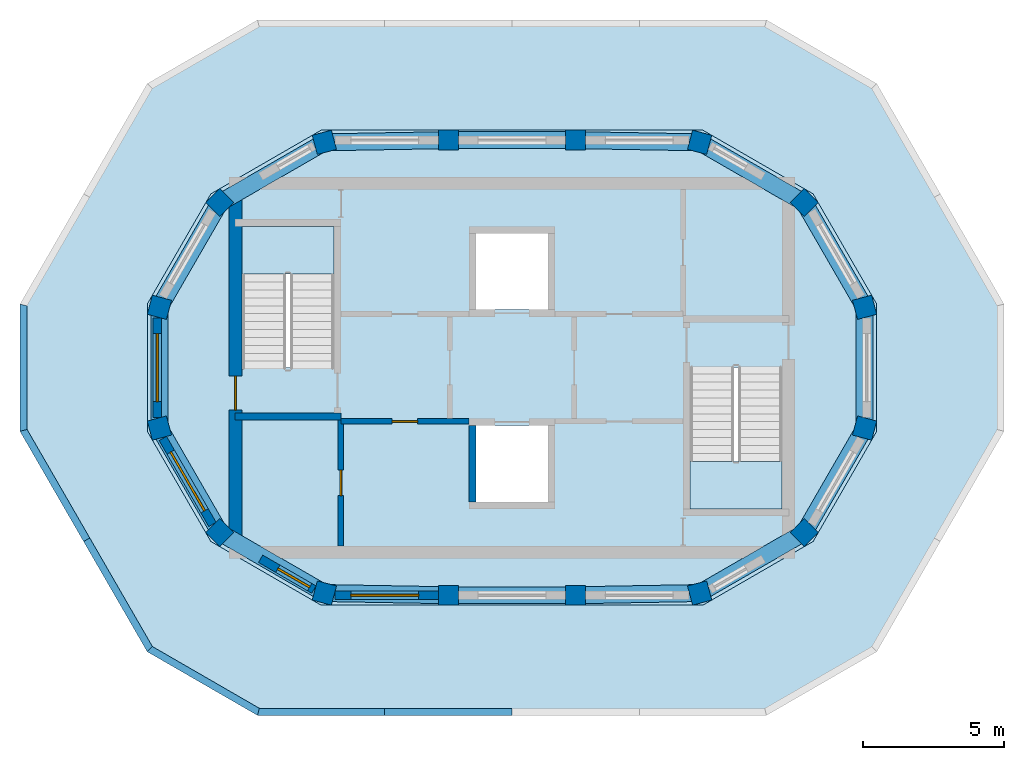
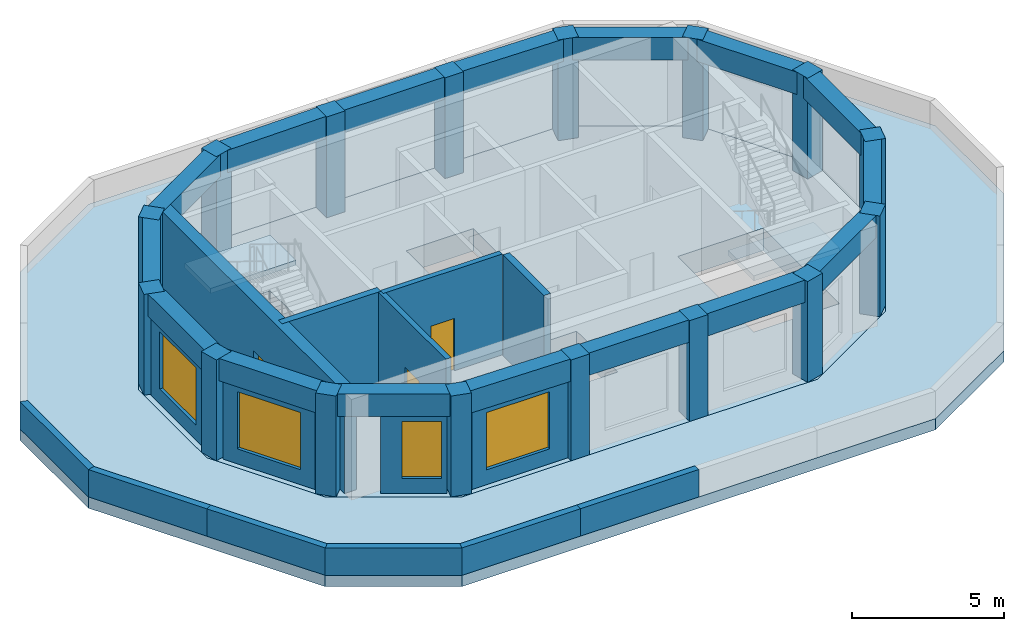
# One storey, part 1 of 4: 16 beams, 16 columns, 15 walls, 4 slabs, 4 windows, 3 doors, 7 openings, 2 elements without a shape of their own.
"""IFC4 building model written with IfcOpenShell, lengths in metres."""

import ifcopenshell
import ifcopenshell.guid

model = None  # the IFC model being written
_history = None  # IfcOwnerHistory: only IFC2X3 demands one
_inside = {}  # id of a spatial element -> (the spatial element, [elements in it])
_under = {}  # id of a project, library or spatial element -> (it, [spatial elements below it])
_declared = {}  # id of a project -> (the project, [libraries it declares])
_typed = {}  # id of a type object -> (the type object, [elements of that type])
_made_of = {}  # id of a material, layer set ... -> (it, [elements and type objects made of it])


def new_model(schema):
    """Start an empty IFC model of exactly this schema.

    Asked for "IFC4X3", IfcOpenShell would pick the latest addendum, in which some entities
    have other attributes; the version numbers below select the first issue.
    IFC2X3 requires an IfcOwnerHistory on every rooted entity: one is made here for all.
    """
    global model, _history
    if schema == "IFC4X3":
        model = ifcopenshell.file(schema_version=(4, 3, 0, 0))
    else:
        model = ifcopenshell.file(schema=schema)
    _inside.clear()
    _under.clear()
    _declared.clear()
    _typed.clear()
    _made_of.clear()
    _history = None
    if model.schema == "IFC2X3":
        org = make("IfcOrganization", Name="unknown")
        user = make(
            "IfcPersonAndOrganization",
            ThePerson=make("IfcPerson", FamilyName="unknown"),
            TheOrganization=org,
        )
        app = make(
            "IfcApplication",
            ApplicationDeveloper=org,
            Version="unknown",
            ApplicationFullName="unknown",
            ApplicationIdentifier="unknown",
        )
        _history = make(
            "IfcOwnerHistory",
            OwningUser=user,
            OwningApplication=app,
            ChangeAction="ADDED",
            CreationDate=0,
        )
    return model


def make(cls, **values):
    """One entity of the class cls with the attributes given. An attribute that is None is left unset."""
    return model.create_entity(
        cls, **{name: value for name, value in values.items() if value is not None}
    )


def rooted(cls, **values):
    """An entity with a GlobalId (a new one), such as an element, a storey or a relation."""
    return make(cls, GlobalId=ifcopenshell.guid.new(), OwnerHistory=_history, **values)


def si_unit(unit_type, name, prefix=None):
    """IfcSIUnit, for example si_unit("LENGTHUNIT", "METRE", prefix="MILLI")."""
    return make("IfcSIUnit", UnitType=unit_type, Prefix=prefix, Name=name)


def assignment(units):
    """IfcUnitAssignment: the units of a project."""
    return None if units is None else make("IfcUnitAssignment", Units=units)


def point(xyz):
    """IfcCartesianPoint."""
    return None if xyz is None else make("IfcCartesianPoint", Coordinates=xyz)


def direction(xyz):
    """IfcDirection."""
    return None if xyz is None else make("IfcDirection", DirectionRatios=xyz)


def frame(location, z_axis=None, x_axis=None):
    """IfcAxis2Placement3D, a coordinate frame: its origin and axes. An axis left out is left unset."""
    return make(
        "IfcAxis2Placement3D",
        Location=point(location),
        Axis=direction(z_axis),
        RefDirection=direction(x_axis),
    )


def frame_2d(location, x_axis=None):
    """IfcAxis2Placement2D, a coordinate frame in the plane: its origin and x axis."""
    return make(
        "IfcAxis2Placement2D", Location=point(location), RefDirection=direction(x_axis)
    )


def origin():
    """The frame at (0, 0, 0) with its axes left unset."""
    return frame((0.0, 0.0, 0.0))


def origin_2d():
    """The frame at (0, 0) in the plane with its x axis left unset."""
    return frame_2d((0.0, 0.0))


def place(relative_to, where):
    """IfcLocalPlacement: puts the frame where relative to a parent placement (None: the world)."""
    return make(
        "IfcLocalPlacement", PlacementRelTo=relative_to, RelativePlacement=where
    )


def context(
    kind, dimensions, precision=None, world=None, true_north=None, identifier=None
):
    """IfcGeometricRepresentationContext, for example the 3D "Model" context."""
    return make(
        "IfcGeometricRepresentationContext",
        ContextIdentifier=identifier,
        ContextType=kind,
        CoordinateSpaceDimension=dimensions,
        Precision=precision,
        WorldCoordinateSystem=world,
        TrueNorth=true_north,
    )


def subcontext(parent, identifier, kind, view, scale=None):
    """IfcGeometricRepresentationSubContext, for example "Body" below "Model"."""
    return make(
        "IfcGeometricRepresentationSubContext",
        ContextIdentifier=identifier,
        ContextType=kind,
        ParentContext=parent,
        TargetScale=scale,
        TargetView=view,
    )


def project(units=None, contexts=None):
    """IfcProject with its units and contexts."""
    return rooted(
        "IfcProject",
        Name="project",
        RepresentationContexts=contexts,
        UnitsInContext=assignment(units),
    )


def spatial(cls, under=None, at=None, **own):
    """A site, building, storey or space (cls), placed at a placement, below another one or the project."""
    s = rooted(cls, ObjectPlacement=at, **own)
    if under is not None:
        _under.setdefault(under.id(), (under, []))[1].append(s)
    return s


def polyline(points):
    """IfcPolyline through the points."""
    return make("IfcPolyline", Points=[point(p) for p in points])


def profile(cls, at=None, kind="AREA", **sizes):
    """A parametric profile (cls). Its sizes go by their IFC names, for example OverallWidth=200.0."""
    return make(cls, ProfileType=kind, Position=at, **sizes)


def rectangle(**sizes):
    """IfcRectangleProfileDef."""
    return profile("IfcRectangleProfileDef", **sizes)


def outline(outer, holes=None, kind="AREA"):
    """IfcArbitraryClosedProfileDef: a profile drawn as a closed curve; with holes, ...WithVoids."""
    if holes is None:
        return make("IfcArbitraryClosedProfileDef", ProfileType=kind, OuterCurve=outer)
    return make(
        "IfcArbitraryProfileDefWithVoids",
        ProfileType=kind,
        OuterCurve=outer,
        InnerCurves=holes,
    )


def extrude(swept, where, along, depth):
    """IfcExtrudedAreaSolid: the profile swept, set in the frame where, extruded along a direction by depth."""
    return make(
        "IfcExtrudedAreaSolid",
        SweptArea=swept,
        Position=where,
        ExtrudedDirection=direction(along),
        Depth=depth,
    )


def shape(context_of_items, identifier, shape_type, items):
    """IfcShapeRepresentation: the items that make up one representation, for example the "Body"."""
    return make(
        "IfcShapeRepresentation",
        ContextOfItems=context_of_items,
        RepresentationIdentifier=identifier,
        RepresentationType=shape_type,
        Items=items,
    )


def material(Name=None, Category=None):
    """IfcMaterial."""
    return make("IfcMaterial", Name=Name, Category=Category)


def layer(
    of_material, thickness, ventilated=None, Name=None, Category=None, Priority=None
):
    """IfcMaterialLayer: one layer of a wall or slab, of a material (None: an air gap)."""
    return make(
        "IfcMaterialLayer",
        Material=of_material,
        LayerThickness=thickness,
        IsVentilated=ventilated,
        Name=Name,
        Category=Category,
        Priority=Priority,
    )


def layer_set(layers, Name=None):
    """IfcMaterialLayerSet."""
    return make("IfcMaterialLayerSet", MaterialLayers=layers, LayerSetName=Name)


def material_profile(
    of_material, cross_section, Name=None, Category=None, Priority=None
):
    """IfcMaterialProfile: a cross section and its material."""
    return make(
        "IfcMaterialProfile",
        Name=Name,
        Material=of_material,
        Profile=cross_section,
        Priority=Priority,
        Category=Category,
    )


def profile_set(profiles, Name=None, composite=None):
    """IfcMaterialProfileSet."""
    return make(
        "IfcMaterialProfileSet",
        Name=Name,
        MaterialProfiles=profiles,
        CompositeProfile=composite,
    )


def made_of(thing, what):
    """Note that an element or type object is made of a material, layer set ...; save() writes the relation."""
    if what is not None:
        _made_of.setdefault(what.id(), (what, []))[1].append(thing)
    return thing


def type_object(cls, material=None, **own):
    """A type object (cls), such as IfcWallType, which elements share."""
    return made_of(rooted(cls, **own), material)


def element(
    cls,
    number,
    at=None,
    inside=None,
    cuts=None,
    type_object=None,
    material=None,
    context=None,
    identifier="Body",
    shape_type=None,
    held_by="IfcProductDefinitionShape",
    body=None,
    shapes=None,
    **own,
):
    """One element of the class cls, such as IfcWall. Its Tag is "e" and its number.

    at: its placement. inside: the storey or other place that contains it. cuts: it is an
    opening in that element (IfcRelVoidsElement). A single representation is given by context,
    identifier, shape_type and body (its items); several are given by shapes. held_by: the class
    of the entity that holds the representations. save() writes the other relations.
    """
    e = rooted(cls, Tag="e%d" % number, ObjectPlacement=at, **own)
    if body is not None:
        shapes = [shape(context, identifier, shape_type, body)]
    if shapes is not None:
        e.Representation = make(held_by, Representations=shapes)
    if inside is not None:
        _inside.setdefault(inside.id(), (inside, []))[1].append(e)
    if cuts is not None:
        rooted(
            "IfcRelVoidsElement", RelatingBuildingElement=cuts, RelatedOpeningElement=e
        )
    if type_object is not None:
        _typed.setdefault(type_object.id(), (type_object, []))[1].append(e)
    return made_of(e, material)


def fill(opening, filler):
    """IfcRelFillsElement: the door or window that sits in an opening."""
    return rooted(
        "IfcRelFillsElement",
        RelatingOpeningElement=opening,
        RelatedBuildingElement=filler,
    )


def aggregate(whole, parts):
    """IfcRelAggregates: a whole, such as a stair, and the parts it consists of."""
    return rooted("IfcRelAggregates", RelatingObject=whole, RelatedObjects=parts)


def save(model, path):
    """Write the relations noted so far, then the file.

    IfcRelAggregates (storeys below a building ...), IfcRelContainedInSpatialStructure (elements
    in a storey), IfcRelDefinesByType, IfcRelAssociatesMaterial and IfcRelDeclares: one each for
    every whole, place, type object, material and project.
    """
    for whole, parts in _under.values():
        aggregate(whole, parts)
    for where, things in _inside.values():
        rooted(
            "IfcRelContainedInSpatialStructure",
            RelatedElements=things,
            RelatingStructure=where,
        )
    for kind, things in _typed.values():
        rooted("IfcRelDefinesByType", RelatedObjects=things, RelatingType=kind)
    for what, things in _made_of.values():
        rooted("IfcRelAssociatesMaterial", RelatedObjects=things, RelatingMaterial=what)
    for by, libraries in _declared.values():
        rooted("IfcRelDeclares", RelatingContext=by, RelatedDefinitions=libraries)
    model.write(path)


model = new_model("IFC4")

# Units and contexts
model_context = context("Model", 3, precision=1e-05, world=origin(), true_north=direction((0.0, 1.0)))
body_context = subcontext(model_context, "Body", "Model", "MODEL_VIEW")
ifc_project = project(units=[si_unit("LENGTHUNIT", "METRE"), si_unit("AREAUNIT", "SQUARE_METRE"), si_unit("VOLUMEUNIT", "CUBIC_METRE"), si_unit("PLANEANGLEUNIT", "RADIAN"), si_unit("MASSUNIT", "GRAM", prefix="KILO")], contexts=[model_context])

# Site, building, storey
site_placement = place(None, origin())
site = spatial("IfcSite", under=ifc_project, at=site_placement, CompositionType="ELEMENT")
building_placement = place(site_placement, origin())
building = spatial("IfcBuilding", under=site, at=building_placement, Name="Dhurran Vertical Campus", CompositionType="ELEMENT")
storey_placement = place(building_placement, frame((0.0, 0.0, 332.39990234375)))
storey = spatial("IfcBuildingStorey", under=building, at=storey_placement, Name="L81 Plant", CompositionType="ELEMENT", Elevation=332.39990234375)

# Columns
ifc_material_1 = material(Name="Concrete C50/60", Category="concrete")
ifc_material_profile_1 = material_profile(ifc_material_1, rectangle(XDim=0.699951171875, YDim=0.699951171875, at=origin_2d()), Name="cr/col/R3")
ifc_profile_set_1 = profile_set([ifc_material_profile_1], Name="Concrete C50/60")
column_type = type_object("IfcColumnType", Name="cr/col/R3", PredefinedType="COLUMN", material=ifc_profile_set_1)
for number, where, z_axis, x_axis, name in (
    (1, (-6.635009765625, -7.968505859375, 0.0), (0.0, 0.0, 1.0), (0.965925826289, -0.258819045103, 0.0), "Crown column L81 1"),
    (2, (-2.25, -8.047119140625, 0.0), (0.0, 0.0, 1.0), (1.0, 0.0, 0.0), "Crown column L81 2"),
    (3, (2.25, -8.047119140625, 0.0), (0.0, 0.0, 1.0), (1.0, 0.0, 0.0), "Crown column L81 3"),
    (4, (6.635009765625, -7.968505859375, 0.0), (0.0, 0.0, 1.0), (0.965925826289, 0.258819045103, 0.0), "Crown column L81 4"),
    (5, (10.333251953125, -5.833251953125, 0.0), (0.0, 0.0, 1.0), (0.707106781187, 0.707106781187, 0.0), "Crown column L81 5"),
    (6, (12.468505859375, -2.135009765625, 0.0), (0.0, 0.0, 1.0), (0.258819045103, 0.965925826289, 0.0), "Crown column L81 6"),
    (7, (12.468505859375, 2.135009765625, 0.0), (0.0, 0.0, 1.0), (-0.258819045103, 0.965925826289, 0.0), "Crown column L81 7"),
    (8, (10.333251953125, 5.833251953125, 0.0), (0.0, 0.0, 1.0), (-0.707106781187, 0.707106781187, 0.0), "Crown column L81 8"),
    (9, (6.635009765625, 7.968505859375, 0.0), (0.0, 0.0, 1.0), (-0.965925826289, 0.258819045103, 0.0), "Crown column L81 9"),
    (10, (2.25, 8.047119140625, 0.0), (0.0, 0.0, 1.0), (-1.0, 0.0, 0.0), "Crown column L81 10"),
    (11, (-2.25, 8.047119140625, 0.0), (0.0, 0.0, 1.0), (-1.0, 0.0, 0.0), "Crown column L81 11"),
    (12, (-6.635009765625, 7.968505859375, 0.0), (0.0, 0.0, 1.0), (-0.965925826289, -0.258819045103, 0.0), "Crown column L81 12"),
    (13, (-10.333251953125, 5.833251953125, 0.0), (0.0, 0.0, 1.0), (-0.707106781187, -0.707106781187, 0.0), "Crown column L81 13"),
    (14, (-12.468505859375, 2.135009765625, 0.0), (0.0, 0.0, 1.0), (-0.258819045103, -0.965925826289, 0.0), "Crown column L81 14"),
    (15, (-12.468505859375, -2.135009765625, 0.0), (0.0, 0.0, 1.0), (0.258819045103, -0.965925826289, 0.0), "Crown column L81 15"),
    (16, (-10.333251953125, -5.833251953125, 0.0), (0.0, 0.0, 1.0), (0.707106781187, -0.707106781187, 0.0), "Crown column L81 16"),
):
    element("IfcColumn", number, at=place(storey_placement, frame(where, z_axis=z_axis, x_axis=x_axis)), inside=storey, type_object=column_type, Name=name, PredefinedType="COLUMN", context=body_context, shape_type="SweptSolid", body=[
        extrude(rectangle(XDim=0.699951171875, YDim=0.699951171875, at=origin_2d()), origin(), (0.0, 0.0, 1.0), 4.050048828125),
    ])

# Beams
ifc_material_2 = material(Name="Concrete C40/50", Category="concrete")
ifc_material_profile_2 = material_profile(ifc_material_2, rectangle(XDim=0.60009765625, YDim=0.89990234375, at=origin_2d()), Name="cr/beam/edge")
ifc_profile_set_2 = profile_set([ifc_material_profile_2], Name="Concrete C40/50")
beam_type = type_object("IfcBeamType", Name="cr/beam/edge", PredefinedType="BEAM", material=ifc_profile_set_2)
beam_1_placement = place(storey_placement, frame((-6.635009765625, -7.968505859375, 3.60009765625), z_axis=(0.999839336934, -0.017924851984, 0.0), x_axis=(0.017924851984, 0.999839336934, 0.0)))
element("IfcBeam", 17, at=beam_1_placement, inside=storey, type_object=beam_type, Name="Crown edge beam L81 1", PredefinedType="BEAM", context=body_context, shape_type="SweptSolid", body=[
    extrude(rectangle(XDim=0.60009765625, YDim=0.89990234375, at=origin_2d()), origin(), (0.0, 0.0, 1.0), 4.3857421875),
])
beam_2_placement = place(storey_placement, frame((-2.25, -8.047119140625, 3.60009765625), z_axis=(1.0, 0.0, 0.0), x_axis=(0.0, 1.0, 0.0)))
element("IfcBeam", 18, at=beam_2_placement, inside=storey, type_object=beam_type, Name="Crown edge beam L81 2", PredefinedType="BEAM", context=body_context, shape_type="SweptSolid", body=[
    extrude(rectangle(XDim=0.60009765625, YDim=0.89990234375, at=origin_2d()), origin(), (0.0, 0.0, 1.0), 4.5),
])
beam_3_placement = place(storey_placement, frame((2.25, -8.047119140625, 3.60009765625), z_axis=(0.999839336934, 0.017924851984, 0.0), x_axis=(-0.017924851984, 0.999839336934, 0.0)))
element("IfcBeam", 19, at=beam_3_placement, inside=storey, type_object=beam_type, Name="Crown edge beam L81 3", PredefinedType="BEAM", context=body_context, shape_type="SweptSolid", body=[
    extrude(rectangle(XDim=0.60009765625, YDim=0.89990234375, at=origin_2d()), origin(), (0.0, 0.0, 1.0), 4.3857421875),
])
for number, where, z_axis, x_axis, name in (
    (20, (6.635009765625, -7.968505859375, 3.60009765625), (0.866018023513, 0.500012782786, 0.0), (-0.500012782786, 0.866018023513, 0.0), "Crown edge beam L81 4"),
    (21, (10.333251953125, -5.833251953125, 3.60009765625), (0.500012782786, 0.866018023513, 0.0), (-0.866018023513, 0.500012782786, 0.0), "Crown edge beam L81 5"),
):
    element("IfcBeam", number, at=place(storey_placement, frame(where, z_axis=z_axis, x_axis=x_axis)), inside=storey, type_object=beam_type, Name=name, PredefinedType="BEAM", context=body_context, shape_type="SweptSolid", body=[
        extrude(rectangle(XDim=0.60009765625, YDim=0.89990234375, at=origin_2d()), origin(), (0.0, 0.0, 1.0), 4.2705078125),
    ])
beam_4_placement = place(storey_placement, frame((12.468505859375, -2.135009765625, 3.60009765625), z_axis=(0.0, 1.0, 0.0), x_axis=(-1.0, 0.0, 0.0)))
element("IfcBeam", 22, at=beam_4_placement, inside=storey, type_object=beam_type, Name="Crown edge beam L81 6", PredefinedType="BEAM", context=body_context, shape_type="SweptSolid", body=[
    extrude(rectangle(XDim=0.60009765625, YDim=0.89990234375, at=origin_2d()), origin(), (0.0, 0.0, 1.0), 4.27001953125),
])
for number, where, z_axis, x_axis, name in (
    (23, (12.468505859375, 2.135009765625, 3.60009765625), (-0.500012782786, 0.866018023513, 0.0), (-0.866018023513, -0.500012782786, 0.0), "Crown edge beam L81 7"),
    (24, (10.333251953125, 5.833251953125, 3.60009765625), (-0.866018023513, 0.500012782786, 0.0), (-0.500012782786, -0.866018023513, 0.0), "Crown edge beam L81 8"),
):
    element("IfcBeam", number, at=place(storey_placement, frame(where, z_axis=z_axis, x_axis=x_axis)), inside=storey, type_object=beam_type, Name=name, PredefinedType="BEAM", context=body_context, shape_type="SweptSolid", body=[
        extrude(rectangle(XDim=0.60009765625, YDim=0.89990234375, at=origin_2d()), origin(), (0.0, 0.0, 1.0), 4.2705078125),
    ])
beam_5_placement = place(storey_placement, frame((6.635009765625, 7.968505859375, 3.60009765625), z_axis=(-0.999839336934, 0.017924851984, 0.0), x_axis=(-0.017924851984, -0.999839336934, 0.0)))
element("IfcBeam", 25, at=beam_5_placement, inside=storey, type_object=beam_type, Name="Crown edge beam L81 9", PredefinedType="BEAM", context=body_context, shape_type="SweptSolid", body=[
    extrude(rectangle(XDim=0.60009765625, YDim=0.89990234375, at=origin_2d()), origin(), (0.0, 0.0, 1.0), 4.3857421875),
])
beam_6_placement = place(storey_placement, frame((2.25, 8.047119140625, 3.60009765625), z_axis=(-1.0, 0.0, 0.0), x_axis=(0.0, -1.0, 0.0)))
element("IfcBeam", 26, at=beam_6_placement, inside=storey, type_object=beam_type, Name="Crown edge beam L81 10", PredefinedType="BEAM", context=body_context, shape_type="SweptSolid", body=[
    extrude(rectangle(XDim=0.60009765625, YDim=0.89990234375, at=origin_2d()), origin(), (0.0, 0.0, 1.0), 4.5),
])
beam_7_placement = place(storey_placement, frame((-2.25, 8.047119140625, 3.60009765625), z_axis=(-0.999839336934, -0.017924851984, 0.0), x_axis=(0.017924851984, -0.999839336934, 0.0)))
element("IfcBeam", 27, at=beam_7_placement, inside=storey, type_object=beam_type, Name="Crown edge beam L81 11", PredefinedType="BEAM", context=body_context, shape_type="SweptSolid", body=[
    extrude(rectangle(XDim=0.60009765625, YDim=0.89990234375, at=origin_2d()), origin(), (0.0, 0.0, 1.0), 4.3857421875),
])
for number, where, z_axis, x_axis, name in (
    (28, (-6.635009765625, 7.968505859375, 3.60009765625), (-0.866018023513, -0.500012782786, 0.0), (0.500012782786, -0.866018023513, 0.0), "Crown edge beam L81 12"),
    (29, (-10.333251953125, 5.833251953125, 3.60009765625), (-0.500012782786, -0.866018023513, 0.0), (0.866018023513, -0.500012782786, 0.0), "Crown edge beam L81 13"),
):
    element("IfcBeam", number, at=place(storey_placement, frame(where, z_axis=z_axis, x_axis=x_axis)), inside=storey, type_object=beam_type, Name=name, PredefinedType="BEAM", context=body_context, shape_type="SweptSolid", body=[
        extrude(rectangle(XDim=0.60009765625, YDim=0.89990234375, at=origin_2d()), origin(), (0.0, 0.0, 1.0), 4.2705078125),
    ])
beam_8_placement = place(storey_placement, frame((-12.468505859375, 2.135009765625, 3.60009765625), z_axis=(0.0, -1.0, 0.0), x_axis=(1.0, 0.0, 0.0)))
element("IfcBeam", 30, at=beam_8_placement, inside=storey, type_object=beam_type, Name="Crown edge beam L81 14", PredefinedType="BEAM", context=body_context, shape_type="SweptSolid", body=[
    extrude(rectangle(XDim=0.60009765625, YDim=0.89990234375, at=origin_2d()), origin(), (0.0, 0.0, 1.0), 4.27001953125),
])
for number, where, z_axis, x_axis, name in (
    (31, (-12.468505859375, -2.135009765625, 3.60009765625), (0.500012782786, -0.866018023513, 0.0), (0.866018023513, 0.500012782786, 0.0), "Crown edge beam L81 15"),
    (32, (-10.333251953125, -5.833251953125, 3.60009765625), (0.866018023513, -0.500012782786, 0.0), (0.500012782786, 0.866018023513, 0.0), "Crown edge beam L81 16"),
):
    element("IfcBeam", number, at=place(storey_placement, frame(where, z_axis=z_axis, x_axis=x_axis)), inside=storey, type_object=beam_type, Name=name, PredefinedType="BEAM", context=body_context, shape_type="SweptSolid", body=[
        extrude(rectangle(XDim=0.60009765625, YDim=0.89990234375, at=origin_2d()), origin(), (0.0, 0.0, 1.0), 4.2705078125),
    ])

# Stair, slab
ifc_material_3 = material(Name="Concrete C40/50", Category="concrete")
stair_type = type_object("IfcStairType", Name="co-ST-CORE", PredefinedType="HALF_TURN_STAIR", material=ifc_material_3)
stair_1_placement = place(storey_placement, origin())
stair_1 = element("IfcStair", 33, at=stair_1_placement, inside=storey, type_object=stair_type, Name="L81 Plant Protected exit stair ST5", PredefinedType="HALF_TURN_STAIR")
ifc_material_4 = material(Name="Concrete C40/50", Category="concrete")
ifc_layer_1 = layer(ifc_material_4, 0.199951171875)
ifc_layer_set_1 = layer_set([ifc_layer_1], Name="Concrete C40/50")
slab_type_1 = type_object("IfcSlabType", Name="co-SL-LANDING", PredefinedType="LANDING", material=ifc_layer_set_1)
slab_1_placement = place(storey_placement, frame((0.0, 0.0, 2.050048828125)))
slab_1 = element("IfcSlab", 34, at=slab_1_placement, type_object=slab_type_1, Name="ST5 landing 1", PredefinedType="LANDING", context=body_context, shape_type="SweptSolid", body=[
    extrude(outline(polyline([(-6.300048828125, 3.31005859375), (-6.300048828125, 5.0), (-9.550048828125, 5.0), (-9.550048828125, 3.31005859375), (-6.300048828125, 3.31005859375)])), origin(), (0.0, 0.0, 1.0), 0.199951171875),
])
aggregate(stair_1, [slab_1])

stair_2_placement = place(storey_placement, origin())
stair_2 = element("IfcStair", 35, at=stair_2_placement, inside=storey, type_object=stair_type, Name="L81 Plant Protected exit stair ST6", PredefinedType="HALF_TURN_STAIR")
slab_2_placement = place(storey_placement, frame((0.0, 0.0, 2.050048828125)))
slab_2 = element("IfcSlab", 36, at=slab_2_placement, type_object=slab_type_1, Name="ST6 landing 1", PredefinedType="LANDING", context=body_context, shape_type="SweptSolid", body=[
    extrude(outline(polyline([(6.300048828125, -3.31005859375), (6.300048828125, -5.0), (9.550048828125, -5.0), (9.550048828125, -3.31005859375), (6.300048828125, -3.31005859375)])), origin(), (0.0, 0.0, 1.0), 0.199951171875),
])
aggregate(stair_2, [slab_2])

# Slabs
ifc_material_5 = material(Name="Concrete C40/50", Category="concrete")
ifc_layer_2 = layer(ifc_material_5, 0.89990234375)
ifc_layer_set_2 = layer_set([ifc_layer_2], Name="Concrete C40/50")
slab_type_2 = type_object("IfcSlabType", Name="cr/slab/deck", PredefinedType="FLOOR", material=ifc_layer_set_2)
slab_3_placement = place(storey_placement, frame((0.0, 0.0, -0.89990234375)))
element("IfcSlab", 37, at=slab_3_placement, inside=storey, type_object=slab_type_2, Name="Crown slab L81", PredefinedType="FLOOR", context=body_context, shape_type="SweptSolid", body=[
    extrude(outline(polyline([(-6.75, -8.39697265625), (6.75, -8.39697265625), (10.64697265625, -6.14697265625), (12.89697265625, -2.25), (12.89697265625, 2.25), (10.64697265625, 6.14697265625), (6.75, 8.39697265625), (-6.75, 8.39697265625), (-10.64697265625, 6.14697265625), (-12.89697265625, 2.25), (-12.89697265625, -2.25), (-10.64697265625, -6.14697265625), (-6.75, -8.39697265625)]), holes=[polyline([(-1.27490234375, 4.75), (1.27490234375, 4.75), (1.27490234375, 2.050048828125), (-1.27490234375, 2.050048828125), (-1.27490234375, 4.75)]), polyline([(-1.27490234375, -2.050048828125), (1.27490234375, -2.050048828125), (1.27490234375, -4.75), (-1.27490234375, -4.75), (-1.27490234375, -2.050048828125)]), polyline([(-9.550048828125, 5.0), (-6.300048828125, 5.0), (-6.300048828125, 0.0), (-9.550048828125, 0.0), (-9.550048828125, 5.0)]), polyline([(6.300048828125, 0.0), (9.550048828125, 0.0), (9.550048828125, -5.0), (6.300048828125, -5.0), (6.300048828125, 0.0)])]), origin(), (0.0, 0.0, 1.0), 0.89990234375),
])
ifc_material_6 = material(Name="Concrete C40/50", Category="concrete")
ifc_layer_3 = layer(ifc_material_6, 0.449951171875)
ifc_layer_set_3 = layer_set([ifc_layer_3], Name="Concrete C40/50")
slab_type_3 = type_object("IfcSlabType", Name="cr/slab/strip", PredefinedType="ROOF", material=ifc_layer_set_3)
slab_4_placement = place(storey_placement, frame((0.0, 0.0, -0.449951171875)))
element("IfcSlab", 38, at=slab_4_placement, inside=storey, type_object=slab_type_3, Name="Crown roof strip L81", PredefinedType="ROOF", context=body_context, shape_type="SweptSolid", body=[
    extrude(outline(polyline([(-12.89697265625, -10.0439453125), (-9.0, -12.2939453125), (9.0, -12.2939453125), (12.89697265625, -10.0439453125), (17.39697265625, -2.25), (17.39697265625, 2.25), (12.89697265625, 10.0439453125), (9.0, 12.2939453125), (-9.0, 12.2939453125), (-12.89697265625, 10.0439453125), (-17.39697265625, 2.25), (-17.39697265625, -2.25), (-12.89697265625, -10.0439453125)]), holes=[polyline([(6.75, -8.39697265625), (10.64697265625, -6.14697265625), (12.89697265625, -2.25), (12.89697265625, 2.25), (10.64697265625, 6.14697265625), (6.75, 8.39697265625), (-6.75, 8.39697265625), (-10.64697265625, 6.14697265625), (-12.89697265625, 2.25), (-12.89697265625, -2.25), (-10.64697265625, -6.14697265625), (-6.75, -8.39697265625), (6.75, -8.39697265625)])]), origin(), (0.0, 0.0, 1.0), 0.449951171875),
])

# Wall, opening, window
ifc_material_7 = material(Name="Precast concrete C50/60", Category="concrete")
ifc_layer_4 = layer(ifc_material_7, 0.300048828125)
ifc_layer_set_4 = layer_set([ifc_layer_4], Name="Precast concrete C50/60")
wall_type_1 = type_object("IfcWallType", Name="Precast louvre-bay wall 300", PredefinedType="SOLIDWALL", material=ifc_layer_set_4)
wall_1_placement = place(storey_placement, frame((-6.25341796875, -8.047119140625, 0.0), z_axis=(0.0, 0.0, 1.0), x_axis=(1.0, 0.0, 0.0)))
wall_1 = element("IfcWall", 39, at=wall_1_placement, inside=storey, type_object=wall_type_1, Name="EW3 L81.00", PredefinedType="SOLIDWALL", context=body_context, shape_type="SweptSolid", body=[
    extrude(rectangle(XDim=3.65283203125, YDim=0.300048828125, at=frame_2d((1.826416015625, 0.0))), origin(), (0.0, 0.0, 1.0), 3.150146484375),
])
opening_1_placement = place(wall_1_placement, frame((0.553466796875, 0.0, 0.60009765625)))
opening_1 = element("IfcOpeningElement", 40, at=opening_1_placement, cuts=wall_1, Name="Opening WT4", PredefinedType="OPENING", context=body_context, shape_type="SweptSolid", body=[
    extrude(rectangle(XDim=2.39990234375, YDim=2.300048828125, at=frame_2d((1.199951171875, 1.14990234375))), frame((0.0, 0.159912109375, 0.0), z_axis=(0.0, -1.0, 0.0), x_axis=(1.0, 0.0, 0.0)), (0.0, 0.0, 1.0), 0.320068359375),
])
ifc_material_8 = material(Name="Aluminium louvre", Category="aluminium")
window_type_1 = type_object("IfcWindowType", Name="Louvred plant vent 2400 x 2300", PartitioningType="SINGLE_PANEL", PredefinedType="WINDOW", material=ifc_material_8)
window_1_placement = place(opening_1_placement, origin())
window_1 = element("IfcWindow", 41, at=window_1_placement, inside=storey, type_object=window_type_1, Name="WT4 L81.00", OverallHeight=2.300048828125, OverallWidth=2.39990234375, PartitioningType="SINGLE_PANEL", PredefinedType="WINDOW", context=body_context, shape_type="SweptSolid", body=[
    extrude(rectangle(XDim=2.39990234375, YDim=2.300048828125, at=frame_2d((1.199951171875, 1.14990234375))), frame((0.0, 0.030029296875, 0.0), z_axis=(0.0, -1.0, 0.0), x_axis=(1.0, 0.0, 0.0)), (0.0, 0.0, 1.0), 0.06005859375),
])
fill(opening_1, window_1)

wall_2_placement = place(storey_placement, frame((-12.547119140625, 1.75341796875, 0.0), z_axis=(0.0, 0.0, 1.0), x_axis=(0.0, -1.0, 0.0)))
wall_2 = element("IfcWall", 42, at=wall_2_placement, inside=storey, type_object=wall_type_1, Name="EW3 L81.13", PredefinedType="SOLIDWALL", context=body_context, shape_type="SweptSolid", body=[
    extrude(rectangle(XDim=3.5068359375, YDim=0.300048828125, at=frame_2d((1.75341796875, 0.0))), origin(), (0.0, 0.0, 1.0), 3.150146484375),
])
opening_2_placement = place(wall_2_placement, frame((0.553466796875, 0.0, 0.60009765625)))
opening_2 = element("IfcOpeningElement", 43, at=opening_2_placement, cuts=wall_2, Name="Opening WT4", PredefinedType="OPENING", context=body_context, shape_type="SweptSolid", body=[
    extrude(rectangle(XDim=2.39990234375, YDim=2.300048828125, at=frame_2d((1.199951171875, 1.14990234375))), frame((0.0, 0.159912109375, 0.0), z_axis=(0.0, -1.0, 0.0), x_axis=(1.0, 0.0, 0.0)), (0.0, 0.0, 1.0), 0.320068359375),
])
window_2_placement = place(opening_2_placement, origin())
window_2 = element("IfcWindow", 44, at=window_2_placement, inside=storey, type_object=window_type_1, Name="WT4 L81.13", OverallHeight=2.300048828125, OverallWidth=2.39990234375, PartitioningType="SINGLE_PANEL", PredefinedType="WINDOW", context=body_context, shape_type="SweptSolid", body=[
    extrude(rectangle(XDim=2.39990234375, YDim=2.300048828125, at=frame_2d((1.199951171875, 1.14990234375))), frame((0.0, 0.030029296875, 0.0), z_axis=(0.0, -1.0, 0.0), x_axis=(1.0, 0.0, 0.0)), (0.0, 0.0, 1.0), 0.06005859375),
])
fill(opening_2, window_2)

wall_3_placement = place(storey_placement, frame((-12.345703125, -2.5048828125, 0.0), z_axis=(0.0, 0.0, 1.0), x_axis=(0.499987607361, -0.86603255856, 0.0)))
wall_3 = element("IfcWall", 45, at=wall_3_placement, inside=storey, type_object=wall_type_1, Name="EW3 L81.14", PredefinedType="SOLIDWALL", context=body_context, shape_type="SweptSolid", body=[
    extrude(rectangle(XDim=3.5068359375, YDim=0.300048828125, at=frame_2d((1.75341796875, 0.0))), origin(), (0.0, 0.0, 1.0), 3.150146484375),
])
opening_3_placement = place(wall_3_placement, frame((0.553466796875, 0.0, 0.60009765625)))
opening_3 = element("IfcOpeningElement", 46, at=opening_3_placement, cuts=wall_3, Name="Opening WT4", PredefinedType="OPENING", context=body_context, shape_type="SweptSolid", body=[
    extrude(rectangle(XDim=2.39990234375, YDim=2.300048828125, at=frame_2d((1.199951171875, 1.14990234375))), frame((0.0, 0.159912109375, 0.0), z_axis=(0.0, -1.0, 0.0), x_axis=(1.0, 0.0, 0.0)), (0.0, 0.0, 1.0), 0.320068359375),
])
window_3_placement = place(opening_3_placement, origin())
window_3 = element("IfcWindow", 47, at=window_3_placement, inside=storey, type_object=window_type_1, Name="WT4 L81.14", OverallHeight=2.300048828125, OverallWidth=2.39990234375, PartitioningType="SINGLE_PANEL", PredefinedType="WINDOW", context=body_context, shape_type="SweptSolid", body=[
    extrude(rectangle(XDim=2.39990234375, YDim=2.300048828125, at=frame_2d((1.199951171875, 1.14990234375))), frame((0.0, 0.030029296875, 0.0), z_axis=(0.0, -1.0, 0.0), x_axis=(1.0, 0.0, 0.0)), (0.0, 0.0, 1.0), 0.06005859375),
])
fill(opening_3, window_3)

wall_4_placement = place(storey_placement, frame((-8.889892578125, -6.757568359375, 0.0), z_axis=(0.0, 0.0, 1.0), x_axis=(0.866060442015, -0.499939307093, 0.0)))
wall_4 = element("IfcWall", 48, at=wall_4_placement, inside=storey, type_object=wall_type_1, Name="EW3 L81.15", PredefinedType="SOLIDWALL", context=body_context, shape_type="SweptSolid", body=[
    extrude(rectangle(XDim=2.176513671875, YDim=0.300048828125, at=frame_2d((1.08837890625, 0.0))), origin(), (0.0, 0.0, 1.0), 3.150146484375),
])
opening_4_placement = place(wall_4_placement, frame((0.7041015625, 0.0, 0.60009765625)))
opening_4 = element("IfcOpeningElement", 49, at=opening_4_placement, cuts=wall_4, Name="Opening WT4", PredefinedType="OPENING", context=body_context, shape_type="SweptSolid", body=[
    extrude(rectangle(XDim=1.300048828125, YDim=2.300048828125, at=frame_2d((0.64990234375, 1.14990234375))), frame((0.0, 0.159912109375, 0.0), z_axis=(0.0, -1.0, 0.0), x_axis=(1.0, 0.0, 0.0)), (0.0, 0.0, 1.0), 0.320068359375),
])
ifc_material_9 = material(Name="Aluminium louvre", Category="aluminium")
window_type_2 = type_object("IfcWindowType", Name="Louvred plant vent 1300 x 2300", PartitioningType="SINGLE_PANEL", PredefinedType="WINDOW", material=ifc_material_9)
window_4_placement = place(opening_4_placement, origin())
window_4 = element("IfcWindow", 50, at=window_4_placement, inside=storey, type_object=window_type_2, Name="WT4 L81.15", OverallHeight=2.300048828125, OverallWidth=1.300048828125, PartitioningType="SINGLE_PANEL", PredefinedType="WINDOW", context=body_context, shape_type="SweptSolid", body=[
    extrude(rectangle(XDim=1.300048828125, YDim=2.300048828125, at=frame_2d((0.64990234375, 1.14990234375))), frame((0.0, 0.030029296875, 0.0), z_axis=(0.0, -1.0, 0.0), x_axis=(1.0, 0.0, 0.0)), (0.0, 0.0, 1.0), 0.06005859375),
])
fill(opening_4, window_4)

# Walls
ifc_material_10 = material(Name="Precast concrete C50/60", Category="concrete")
ifc_layer_5 = layer(ifc_material_10, 0.25)
ifc_layer_set_5 = layer_set([ifc_layer_5], Name="Precast concrete C50/60")
wall_type_2 = type_object("IfcWallType", Name="Precast parapet 250", PredefinedType="PARAPET", material=ifc_layer_set_5)
wall_5_placement = place(storey_placement, origin())
element("IfcWall", 51, at=wall_5_placement, inside=storey, type_object=wall_type_2, Name="PW1 L81.00", PredefinedType="PARAPET", context=body_context, shape_type="SweptSolid", body=[
    extrude(outline(polyline([(-9.0, -12.294189453125), (-4.5, -12.294189453125), (-4.5, -12.044189453125), (-8.93310546875, -12.044189453125), (-9.0, -12.294189453125)])), origin(), (0.0, 0.0, 1.0), 1.10009765625),
])
wall_6_placement = place(storey_placement, origin())
element("IfcWall", 52, at=wall_6_placement, inside=storey, type_object=wall_type_2, Name="PW1 L81.01", PredefinedType="PARAPET", context=body_context, shape_type="SweptSolid", body=[
    extrude(outline(polyline([(-4.5, -12.294189453125), (0.0, -12.294189453125), (0.0, -12.044189453125), (-4.5, -12.044189453125), (-4.5, -12.294189453125)])), origin(), (0.0, 0.0, 1.0), 1.10009765625),
])
wall_7_placement = place(storey_placement, origin())
element("IfcWall", 53, at=wall_7_placement, inside=storey, type_object=wall_type_2, Name="PW1 L81.18", PredefinedType="PARAPET", context=body_context, shape_type="SweptSolid", body=[
    extrude(outline(polyline([(-17.397216796875, 2.25), (-17.397216796875, -2.25), (-17.147216796875, -2.18310546875), (-17.147216796875, 2.18310546875), (-17.397216796875, 2.25)])), origin(), (0.0, 0.0, 1.0), 1.10009765625),
])
wall_8_placement = place(storey_placement, origin())
element("IfcWall", 54, at=wall_8_placement, inside=storey, type_object=wall_type_2, Name="PW1 L81.19", PredefinedType="PARAPET", context=body_context, shape_type="SweptSolid", body=[
    extrude(outline(polyline([(-17.397216796875, -2.25), (-15.147216796875, -6.147216796875), (-14.9306640625, -6.022216796875), (-17.147216796875, -2.18310546875), (-17.397216796875, -2.25)])), origin(), (0.0, 0.0, 1.0), 1.10009765625),
])
wall_9_placement = place(storey_placement, origin())
element("IfcWall", 55, at=wall_9_placement, inside=storey, type_object=wall_type_2, Name="PW1 L81.20", PredefinedType="PARAPET", context=body_context, shape_type="SweptSolid", body=[
    extrude(outline(polyline([(-15.147216796875, -6.147216796875), (-12.897216796875, -10.044189453125), (-12.714111328125, -9.861083984375), (-14.9306640625, -6.022216796875), (-15.147216796875, -6.147216796875)])), origin(), (0.0, 0.0, 1.0), 1.10009765625),
])
wall_10_placement = place(storey_placement, origin())
element("IfcWall", 56, at=wall_10_placement, inside=storey, type_object=wall_type_2, Name="PW1 L81.21", PredefinedType="PARAPET", context=body_context, shape_type="SweptSolid", body=[
    extrude(outline(polyline([(-12.897216796875, -10.044189453125), (-9.0, -12.294189453125), (-8.93310546875, -12.044189453125), (-12.714111328125, -9.861083984375), (-12.897216796875, -10.044189453125)])), origin(), (0.0, 0.0, 1.0), 1.10009765625),
])

# Wall, opening, door
ifc_material_11 = material(Name="Concrete C50/60", Category="concrete")
ifc_layer_6 = layer(ifc_material_11, 0.449951171875)
ifc_layer_set_6 = layer_set([ifc_layer_6], Name="Concrete C50/60")
wall_type_3 = type_object("IfcWallType", Name="co-CORE-WALL-C4-450", PredefinedType="SHEAR", material=ifc_layer_set_6)
wall_11_placement = place(storey_placement, frame((-9.77490234375, -6.300048828125, 0.0), z_axis=(0.0, 0.0, 1.0), x_axis=(0.0, 1.0, 0.0)))
wall_11 = element("IfcWall", 57, at=wall_11_placement, inside=storey, type_object=wall_type_3, Name="Core wall W L81", PredefinedType="SHEAR", context=body_context, shape_type="SweptSolid", body=[
    extrude(rectangle(XDim=12.60009765625, YDim=0.449951171875, at=frame_2d((6.300048828125, 0.0))), origin(), (0.0, 0.0, 1.0), 4.050048828125),
])
opening_5_placement = place(wall_11_placement, frame((4.800048828125, 0.0, 0.0)))
opening_5 = element("IfcOpeningElement", 58, at=opening_5_placement, cuts=wall_11, Name="Opening XD5", PredefinedType="OPENING", context=body_context, shape_type="SweptSolid", body=[
    extrude(rectangle(XDim=1.199951171875, YDim=2.10009765625, at=frame_2d((0.60009765625, 1.050048828125))), frame((0.0, 0.23486328125, 0.0), z_axis=(0.0, -1.0, 0.0), x_axis=(1.0, 0.0, 0.0)), (0.0, 0.0, 1.0), 0.469970703125),
])
ifc_material_12 = material(Name="Fire-rated steel door set", Category="steel")
door_type_1 = type_object("IfcDoorType", Name="co-D-STAIR-EXIT 1200x2100", OperationType="SINGLE_SWING_RIGHT", PredefinedType="DOOR", material=ifc_material_12)
door_1_placement = place(opening_5_placement, origin())
door_1 = element("IfcDoor", 59, at=door_1_placement, inside=storey, type_object=door_type_1, Name="Stair ST5 exit door L81", OperationType="SINGLE_SWING_RIGHT", OverallHeight=2.10009765625, OverallWidth=1.199951171875, PredefinedType="DOOR", context=body_context, shape_type="SweptSolid", body=[
    extrude(rectangle(XDim=1.199951171875, YDim=2.10009765625, at=frame_2d((0.60009765625, 1.050048828125))), frame((0.0, 0.02490234375, 0.0), z_axis=(0.0, -1.0, 0.0), x_axis=(1.0, 0.0, 0.0)), (0.0, 0.0, 1.0), 0.050048828125),
])
fill(opening_5, door_1)

ifc_material_13 = material(Name="Fire-rated masonry blockwork", Category="masonry")
ifc_layer_7 = layer(ifc_material_13, 0.199951171875)
ifc_layer_set_7 = layer_set([ifc_layer_7], Name="Fire-rated masonry blockwork")
wall_type_4 = type_object("IfcWallType", Name="co-FIRE-PARTITION-200", PredefinedType="PARTITIONING", material=ifc_layer_set_7)
wall_12_placement = place(storey_placement, frame((-6.050048828125, -1.89990234375, 0.0), z_axis=(0.0, 0.0, 1.0), x_axis=(1.0, 0.0, 0.0)))
wall_12 = element("IfcWall", 60, at=wall_12_placement, inside=storey, type_object=wall_type_4, Name="Core partition swa-f L81", PredefinedType="PARTITIONING", context=body_context, shape_type="SweptSolid", body=[
    extrude(rectangle(XDim=4.525146484375, YDim=0.199951171875, at=frame_2d((2.2626953125, 0.0))), origin(), (0.0, 0.0, 1.0), 4.050048828125),
])
opening_6_placement = place(wall_12_placement, frame((1.8125, 0.0, 0.0)))
opening_6 = element("IfcOpeningElement", 61, at=opening_6_placement, cuts=wall_12, Name="Opening CR81-C2", PredefinedType="OPENING", context=body_context, shape_type="SweptSolid", body=[
    extrude(rectangle(XDim=0.89990234375, YDim=2.10009765625, at=frame_2d((0.449951171875, 1.050048828125))), frame((0.0, 0.10986328125, 0.0), z_axis=(0.0, -1.0, 0.0), x_axis=(1.0, 0.0, 0.0)), (0.0, 0.0, 1.0), 0.219970703125),
])
ifc_material_14 = material(Name="Fire-rated timber door set", Category="wood")
door_type_2 = type_object("IfcDoorType", Name="co-D-ROOM 900x2100", OperationType="SINGLE_SWING_LEFT", PredefinedType="DOOR", material=ifc_material_14)
door_2_placement = place(opening_6_placement, origin())
door_2 = element("IfcDoor", 62, at=door_2_placement, inside=storey, type_object=door_type_2, Name="swa door L81", OperationType="SINGLE_SWING_LEFT", OverallHeight=2.10009765625, OverallWidth=0.89990234375, PredefinedType="DOOR", context=body_context, shape_type="SweptSolid", body=[
    extrude(rectangle(XDim=0.89990234375, YDim=2.10009765625, at=frame_2d((0.449951171875, 1.050048828125))), frame((0.0, 0.02490234375, 0.0), z_axis=(0.0, -1.0, 0.0), x_axis=(1.0, 0.0, 0.0)), (0.0, 0.0, 1.0), 0.050048828125),
])
fill(opening_6, door_2)

wall_13_placement = place(storey_placement, frame((-6.050048828125, -6.300048828125, 0.0), z_axis=(0.0, 0.0, 1.0), x_axis=(0.0, 1.0, 0.0)))
wall_13 = element("IfcWall", 63, at=wall_13_placement, inside=storey, type_object=wall_type_4, Name="Core partition bws-d L81", PredefinedType="PARTITIONING", context=body_context, shape_type="SweptSolid", body=[
    extrude(rectangle(XDim=4.449951171875, YDim=0.199951171875, at=frame_2d((2.22509765625, 0.0))), origin(), (0.0, 0.0, 1.0), 4.050048828125),
])
opening_7_placement = place(wall_13_placement, frame((1.77490234375, 0.0, 0.0)))
opening_7 = element("IfcOpeningElement", 64, at=opening_7_placement, cuts=wall_13, Name="Opening CR81-C6", PredefinedType="OPENING", context=body_context, shape_type="SweptSolid", body=[
    extrude(rectangle(XDim=0.89990234375, YDim=2.10009765625, at=frame_2d((0.449951171875, 1.050048828125))), frame((0.0, 0.10986328125, 0.0), z_axis=(0.0, -1.0, 0.0), x_axis=(1.0, 0.0, 0.0)), (0.0, 0.0, 1.0), 0.219970703125),
])
door_3_placement = place(opening_7_placement, origin())
door_3 = element("IfcDoor", 65, at=door_3_placement, inside=storey, type_object=door_type_2, Name="Plant room door L81", OperationType="SINGLE_SWING_LEFT", OverallHeight=2.10009765625, OverallWidth=0.89990234375, PredefinedType="DOOR", context=body_context, shape_type="SweptSolid", body=[
    extrude(rectangle(XDim=0.89990234375, YDim=2.10009765625, at=frame_2d((0.449951171875, 1.050048828125))), frame((0.0, 0.02490234375, 0.0), z_axis=(0.0, -1.0, 0.0), x_axis=(1.0, 0.0, 0.0)), (0.0, 0.0, 1.0), 0.050048828125),
])
fill(opening_7, door_3)

# Walls
ifc_material_15 = material(Name="Concrete C50/60", Category="concrete")
ifc_layer_8 = layer(ifc_material_15, 0.25)
ifc_layer_set_8 = layer_set([ifc_layer_8], Name="Concrete C50/60")
wall_type_5 = type_object("IfcWallType", Name="co-SHAFT-MASS-250", PredefinedType="SHEAR", material=ifc_layer_set_8)
wall_14_placement = place(storey_placement, origin())
element("IfcWall", 66, at=wall_14_placement, inside=storey, type_object=wall_type_5, Name="Lift shaft wall S L81 2", PredefinedType="SHEAR", context=body_context, shape_type="SweptSolid", body=[
    extrude(outline(polyline([(-1.52490234375, -4.75), (-1.27490234375, -4.75), (-1.27490234375, -2.050048828125), (-1.52490234375, -2.050048828125), (-1.52490234375, -4.75)])), origin(), (0.0, 0.0, 1.0), 4.050048828125),
])
ifc_material_16 = material(Name="Concrete C40/50", Category="concrete")
ifc_layer_9 = layer(ifc_material_16, 0.25)
ifc_layer_set_9 = layer_set([ifc_layer_9], Name="Concrete C40/50")
wall_type_6 = type_object("IfcWallType", Name="co-STAIR-WALL-250", PredefinedType="SHEAR", material=ifc_layer_set_9)
wall_15_placement = place(storey_placement, frame((-9.800048828125, -1.72509765625, 0.0), z_axis=(0.0, 0.0, 1.0), x_axis=(1.0, 0.0, 0.0)))
element("IfcWall", 67, at=wall_15_placement, inside=storey, type_object=wall_type_6, Name="Stair ST5 enclosure wall L81", PredefinedType="SHEAR", context=body_context, shape_type="SweptSolid", body=[
    extrude(rectangle(XDim=3.75, YDim=0.25, at=frame_2d((1.875, 0.0))), origin(), (0.0, 0.0, 1.0), 4.050048828125),
])

save(model, "model.ifc")
